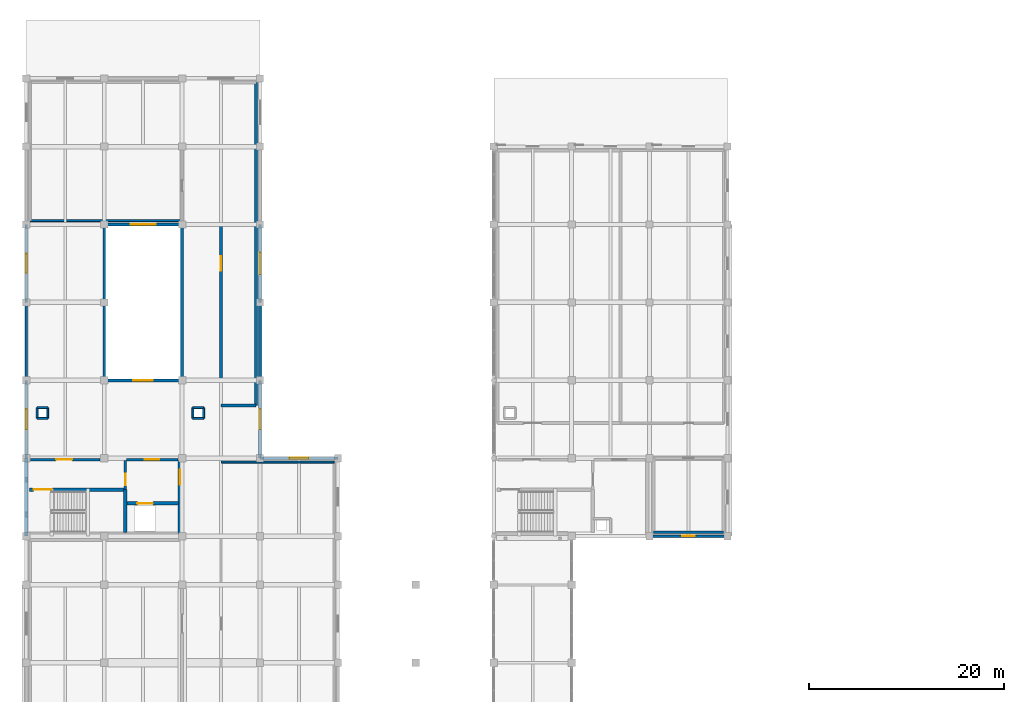
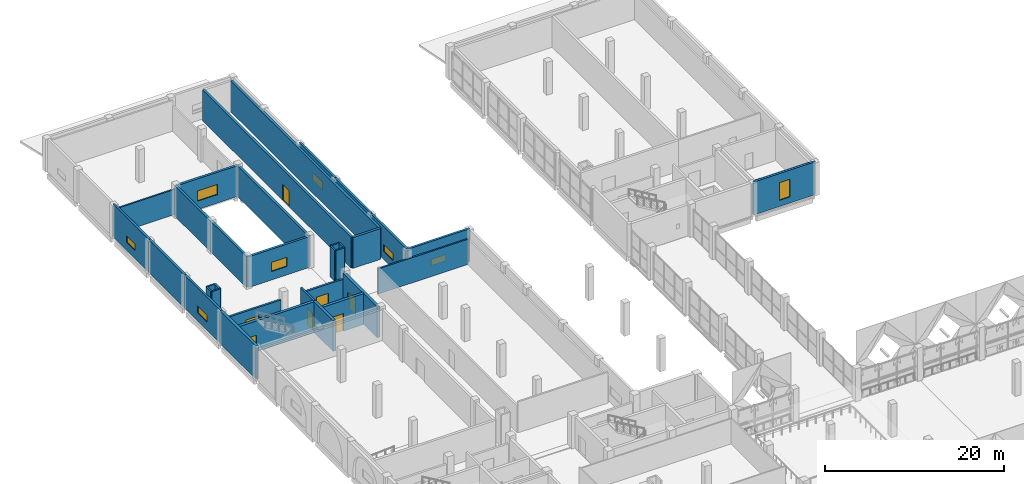
# One storey, part 32 of 53: 34 walls, 8 windows, 7 doors, 15 openings.
"""IFC4 building model written with IfcOpenShell, lengths in metres."""

from ifc_helpers import new_model, si_unit, direction, frame, frame_2d, origin, place, context, subcontext, project, spatial, rectangle, extrude, material, layer, layer_set, type_object, element, fill, save


model = new_model("IFC4")

# Units and contexts
model_context = context("Model", 3, precision=1e-05, world=origin(), true_north=direction((0.0, 1.0)))
body_context = subcontext(model_context, "Body", "Model", "MODEL_VIEW")
ifc_project = project(units=[si_unit("LENGTHUNIT", "METRE"), si_unit("AREAUNIT", "SQUARE_METRE"), si_unit("VOLUMEUNIT", "CUBIC_METRE"), si_unit("PLANEANGLEUNIT", "RADIAN"), si_unit("MASSUNIT", "GRAM", prefix="KILO")], contexts=[model_context])

# Site, building, storey
site_placement = place(None, origin())
site = spatial("IfcSite", under=ifc_project, at=site_placement, CompositionType="ELEMENT")
building_placement = place(site_placement, origin())
building = spatial("IfcBuilding", under=site, at=building_placement, Name="Qorikala Patio Media Centre", CompositionType="ELEMENT")
storey_placement = place(building_placement, frame((0.0, 0.0, 5.39990234375)))
storey = spatial("IfcBuildingStorey", under=building, at=storey_placement, Name="L01", CompositionType="ELEMENT", Elevation=5.39990234375)

# Wall, opening, window
ifc_material_1 = material(Name="Concrete C35/45", Category="concrete")
ifc_layer_1 = layer(ifc_material_1, 0.300048828125)
ifc_layer_set_1 = layer_set([ifc_layer_1], Name="Concrete C35/45")
wall_type_1 = type_object("IfcWallType", Name="WL-AC-300", PredefinedType="SHEAR", material=ifc_layer_set_1)
wall_1_placement = place(storey_placement, frame((11.0, 80.0, 0.0), z_axis=(0.0, 0.0, 1.0), x_axis=(1.0, 0.0, 0.0)))
wall_1 = element("IfcWall", 1, at=wall_1_placement, inside=storey, type_object=wall_type_1, Name="L01 Interior Wall VW-L01-STUDIO1_VOID-1", PredefinedType="SHEAR", context=body_context, shape_type="SweptSolid", body=[
    extrude(rectangle(XDim=8.0, YDim=0.300048828125, at=frame_2d((4.0, 0.0))), origin(), (0.0, 0.0, 1.0), 4.2001953125),
])
opening_1_placement = place(wall_1_placement, frame((3.0, 0.0, 1.14990234375)))
opening_1 = element("IfcOpeningElement", 2, at=opening_1_placement, cuts=wall_1, Name="Opening WO-200", PredefinedType="OPENING", context=body_context, shape_type="SweptSolid", body=[
    extrude(rectangle(XDim=2.0, YDim=1.25, at=frame_2d((1.0, 0.625))), frame((0.0, 0.159912109375, 0.0), z_axis=(0.0, -1.0, 0.0), x_axis=(1.0, 0.0, 0.0)), (0.0, 0.0, 1.0), 0.320068359375),
])
ifc_material_2 = material(Name="Triple Acoustic Studio Glass", Category="glass")
window_type_1 = type_object("IfcWindowType", Name="WN-OBS-200X125", PartitioningType="SINGLE_PANEL", PredefinedType="WINDOW", material=ifc_material_2)
window_1_placement = place(opening_1_placement, origin())
window_1 = element("IfcWindow", 3, at=window_1_placement, inside=storey, type_object=window_type_1, Name="L01 STUDIO1_VOID Acoustic Observation Window 1", OverallHeight=1.25, OverallWidth=2.0, PartitioningType="SINGLE_PANEL", PredefinedType="WINDOW", context=body_context, shape_type="SweptSolid", body=[
    extrude(rectangle(XDim=2.0, YDim=1.25, at=frame_2d((1.0, 0.625))), frame((0.0, 0.030029296875, 0.0), z_axis=(0.0, -1.0, 0.0), x_axis=(1.0, 0.0, 0.0)), (0.0, 0.0, 1.0), 0.06005859375),
])
fill(opening_1, window_1)

# Wall
wall_2_placement = place(storey_placement, frame((19.0, 80.0, 0.0), z_axis=(0.0, 0.0, 1.0), x_axis=(0.0, 1.0, 0.0)))
element("IfcWall", 4, at=wall_2_placement, inside=storey, type_object=wall_type_1, Name="L01 Interior Wall VW-L01-STUDIO1_VOID-2", PredefinedType="SHEAR", context=body_context, shape_type="SweptSolid", body=[
    extrude(rectangle(XDim=16.0, YDim=0.300048828125, at=frame_2d((8.0, 0.0))), origin(), (0.0, 0.0, 1.0), 4.2001953125),
])

# Wall, opening, window
wall_3_placement = place(storey_placement, frame((19.0, 96.0, 0.0), z_axis=(0.0, 0.0, 1.0), x_axis=(-1.0, 0.0, 0.0)))
wall_3 = element("IfcWall", 5, at=wall_3_placement, inside=storey, type_object=wall_type_1, Name="L01 Interior Wall VW-L01-STUDIO1_VOID-3", PredefinedType="SHEAR", context=body_context, shape_type="SweptSolid", body=[
    extrude(rectangle(XDim=8.0, YDim=0.300048828125, at=frame_2d((4.0, 0.0))), origin(), (0.0, 0.0, 1.0), 4.2001953125),
])
opening_2_placement = place(wall_3_placement, frame((2.699951171875, 0.0, 1.14990234375)))
opening_2 = element("IfcOpeningElement", 6, at=opening_2_placement, cuts=wall_3, Name="Opening WO-260", PredefinedType="OPENING", context=body_context, shape_type="SweptSolid", body=[
    extrude(rectangle(XDim=2.60009765625, YDim=1.39990234375, at=frame_2d((1.300048828125, 0.699951171875))), frame((0.0, 0.159912109375, 0.0), z_axis=(0.0, -1.0, 0.0), x_axis=(1.0, 0.0, 0.0)), (0.0, 0.0, 1.0), 0.320068359375),
])
window_type_2 = type_object("IfcWindowType", Name="WN-OBS-260X140", PartitioningType="SINGLE_PANEL", PredefinedType="WINDOW", material=ifc_material_2)
window_2_placement = place(opening_2_placement, origin())
window_2 = element("IfcWindow", 7, at=window_2_placement, inside=storey, type_object=window_type_2, Name="L01 STUDIO1_VOID Acoustic Observation Window 3", OverallHeight=1.39990234375, OverallWidth=2.60009765625, PartitioningType="SINGLE_PANEL", PredefinedType="WINDOW", context=body_context, shape_type="SweptSolid", body=[
    extrude(rectangle(XDim=2.60009765625, YDim=1.39990234375, at=frame_2d((1.300048828125, 0.699951171875))), frame((0.0, 0.030029296875, 0.0), z_axis=(0.0, -1.0, 0.0), x_axis=(1.0, 0.0, 0.0)), (0.0, 0.0, 1.0), 0.06005859375),
])
fill(opening_2, window_2)

# Walls
wall_4_placement = place(storey_placement, frame((11.0, 96.0, 0.0), z_axis=(0.0, 0.0, 1.0), x_axis=(0.0, -1.0, 0.0)))
element("IfcWall", 8, at=wall_4_placement, inside=storey, type_object=wall_type_1, Name="L01 Interior Wall VW-L01-STUDIO1_VOID-4", PredefinedType="SHEAR", context=body_context, shape_type="SweptSolid", body=[
    extrude(rectangle(XDim=16.0, YDim=0.300048828125, at=frame_2d((8.0, 0.0))), origin(), (0.0, 0.0, 1.0), 4.2001953125),
])
wall_5_placement = place(storey_placement, frame((23.0, 77.39990234375, 0.0), z_axis=(0.0, 0.0, 1.0), x_axis=(1.0, 0.0, 0.0)))
element("IfcWall", 9, at=wall_5_placement, inside=storey, type_object=wall_type_1, Name="L01 Interior Wall WINT-L01-APP1-S", PredefinedType="SHEAR", context=body_context, shape_type="SweptSolid", body=[
    extrude(rectangle(XDim=3.60009765625, YDim=0.300048828125, at=frame_2d((1.800048828125, 0.0))), origin(), (0.0, 0.0, 1.0), 4.2001953125),
])
wall_6_placement = place(storey_placement, frame((26.60009765625, 77.39990234375, 0.0), z_axis=(0.0, 0.0, 1.0), x_axis=(0.0, 1.0, 0.0)))
element("IfcWall", 10, at=wall_6_placement, inside=storey, type_object=wall_type_1, Name="L01 Interior Wall WINT-L01-APP1-E", PredefinedType="SHEAR", context=body_context, shape_type="SweptSolid", body=[
    extrude(rectangle(XDim=33.2001953125, YDim=0.300048828125, at=frame_2d((16.60009765625, 0.0))), origin(), (0.0, 0.0, 1.0), 4.2001953125),
])

# Wall, opening, door
wall_7_placement = place(storey_placement, frame((23.0, 77.39990234375, 0.0), z_axis=(0.0, 0.0, 1.0), x_axis=(0.0, 1.0, 0.0)))
wall_7 = element("IfcWall", 11, at=wall_7_placement, inside=storey, type_object=wall_type_1, Name="L01 Interior Wall WINT-L01-APP1-W", PredefinedType="SHEAR", context=body_context, shape_type="SweptSolid", body=[
    extrude(rectangle(XDim=33.2001953125, YDim=0.300048828125, at=frame_2d((16.60009765625, 0.0))), origin(), (0.0, 0.0, 1.0), 4.2001953125),
])
opening_3_placement = place(wall_7_placement, frame((13.840087890625, 0.0, 0.0)))
opening_3 = element("IfcOpeningElement", 12, at=opening_3_placement, cuts=wall_7, Name="Opening D264", PredefinedType="OPENING", context=body_context, shape_type="SweptSolid", body=[
    extrude(rectangle(XDim=1.5, YDim=2.199951171875, at=frame_2d((0.75, 1.10009765625))), frame((0.0, 0.159912109375, 0.0), z_axis=(0.0, -1.0, 0.0), x_axis=(1.0, 0.0, 0.0)), (0.0, 0.0, 1.0), 0.320068359375),
])
ifc_material_3 = material(Name="Powder-Coated Acoustic Fire Steel", Category="steel")
door_type_1 = type_object("IfcDoorType", Name="DR-FD60-150X220", OperationType="DOUBLE_DOOR_SINGLE_SWING", PredefinedType="DOOR", material=ifc_material_3)
door_1_placement = place(opening_3_placement, origin())
door_1 = element("IfcDoor", 13, at=door_1_placement, inside=storey, type_object=door_type_1, Name="Central Broadcast Apparatus Room Door 053", OperationType="DOUBLE_DOOR_SINGLE_SWING", OverallHeight=2.199951171875, OverallWidth=1.5, PredefinedType="DOOR", context=body_context, shape_type="SweptSolid", body=[
    extrude(rectangle(XDim=1.5, YDim=2.199951171875, at=frame_2d((0.75, 1.10009765625))), frame((0.0, 0.02490234375, 0.0), z_axis=(0.0, -1.0, 0.0), x_axis=(1.0, 0.0, 0.0)), (0.0, 0.0, 1.0), 0.050048828125),
])
fill(opening_3, door_1)

# Walls
wall_8_placement = place(storey_placement, frame((67.39990234375, 64.39990234375, 0.0), z_axis=(0.0, 0.0, 1.0), x_axis=(1.0, 0.0, 0.0)))
element("IfcWall", 14, at=wall_8_placement, inside=storey, type_object=wall_type_1, Name="L01 Interior Wall WINT-L01-ADR1-S", PredefinedType="SHEAR", context=body_context, shape_type="SweptSolid", body=[
    extrude(rectangle(XDim=7.2001953125, YDim=0.300048828125, at=frame_2d((3.60009765625, 0.0))), origin(), (0.0, 0.0, 1.0), 4.2001953125),
])
ifc_layer_2 = layer(ifc_material_1, 0.35009765625)
ifc_layer_set_2 = layer_set([ifc_layer_2], Name="Concrete C35/45")
wall_type_2 = type_object("IfcWallType", Name="WL-CORE-350", PredefinedType="SHEAR", material=ifc_layer_set_2)
wall_9_placement = place(storey_placement, frame((3.0, 64.0, 0.0), z_axis=(0.0, 0.0, 1.0), x_axis=(0.0, 1.0, 0.0)))
element("IfcWall", 15, at=wall_9_placement, inside=storey, type_object=wall_type_2, Name="L01 Core C3 Exterior Shear Wall", PredefinedType="SHEAR", context=body_context, shape_type="SweptSolid", body=[
    extrude(rectangle(XDim=8.0, YDim=0.35009765625, at=frame_2d((4.0, 0.0))), origin(), (0.0, 0.0, 1.0), 4.5),
])
wall_10_placement = place(storey_placement, frame((13.175048828125, 64.35009765625, 0.0), z_axis=(0.0, 0.0, 1.0), x_axis=(0.0, 1.0, 0.0)))
element("IfcWall", 16, at=wall_10_placement, inside=storey, type_object=wall_type_2, Name="L01 Interior Wall CW-L01-C3-SE", PredefinedType="SHEAR", context=body_context, shape_type="SweptSolid", body=[
    extrude(rectangle(XDim=4.4248046875, YDim=0.35009765625, at=frame_2d((2.21240234375, 0.0))), origin(), (0.0, 0.0, 1.0), 4.2001953125),
])

# Wall, opening, door
wall_11_placement = place(storey_placement, frame((18.77490234375, 64.199951171875, 0.0), z_axis=(0.0, 0.0, 1.0), x_axis=(0.0, 1.0, 0.0)))
wall_11 = element("IfcWall", 17, at=wall_11_placement, inside=storey, type_object=wall_type_2, Name="L01 Interior Wall CW-L01-C3-EE", PredefinedType="SHEAR", context=body_context, shape_type="SweptSolid", body=[
    extrude(rectangle(XDim=7.60009765625, YDim=0.35009765625, at=frame_2d((3.800048828125, 0.0))), origin(), (0.0, 0.0, 1.0), 4.2001953125),
])
opening_4_placement = place(wall_11_placement, frame((5.10009765625, 0.0, 0.0)))
opening_4 = element("IfcOpeningElement", 18, at=opening_4_placement, cuts=wall_11, Name="Opening D105", PredefinedType="OPENING", context=body_context, shape_type="SweptSolid", body=[
    extrude(rectangle(XDim=1.5, YDim=2.199951171875, at=frame_2d((0.75, 1.10009765625))), frame((0.0, 0.18505859375, 0.0), z_axis=(0.0, -1.0, 0.0), x_axis=(1.0, 0.0, 0.0)), (0.0, 0.0, 1.0), 0.3701171875),
])
door_2_placement = place(opening_4_placement, origin())
door_2 = element("IfcDoor", 19, at=door_2_placement, inside=storey, type_object=door_type_1, Name="L01 Core C3 East Corridor Fire Door", OperationType="DOUBLE_DOOR_SINGLE_SWING", OverallHeight=2.199951171875, OverallWidth=1.5, PredefinedType="DOOR", context=body_context, shape_type="SweptSolid", body=[
    extrude(rectangle(XDim=1.5, YDim=2.199951171875, at=frame_2d((0.75, 1.10009765625))), frame((0.0, 0.02490234375, 0.0), z_axis=(0.0, -1.0, 0.0), x_axis=(1.0, 0.0, 0.0)), (0.0, 0.0, 1.0), 0.050048828125),
])
fill(opening_4, door_2)

wall_12_placement = place(storey_placement, frame((3.35009765625, 68.77490234375, 0.0), z_axis=(0.0, 0.0, 1.0), x_axis=(1.0, 0.0, 0.0)))
wall_12 = element("IfcWall", 20, at=wall_12_placement, inside=storey, type_object=wall_type_2, Name="L01 Interior Wall CW-L01-C3-SN", PredefinedType="SHEAR", context=body_context, shape_type="SweptSolid", body=[
    extrude(rectangle(XDim=9.824951171875, YDim=0.35009765625, at=frame_2d((4.91259765625, 0.0))), origin(), (0.0, 0.0, 1.0), 4.2001953125),
])
opening_5_placement = place(wall_12_placement, frame((0.39990234375, 0.0, 0.0)))
opening_5 = element("IfcOpeningElement", 21, at=opening_5_placement, cuts=wall_12, Name="Opening D101", PredefinedType="OPENING", context=body_context, shape_type="SweptSolid", body=[
    extrude(rectangle(XDim=1.85009765625, YDim=2.25, at=frame_2d((0.925048828125, 1.125))), frame((0.0, 0.18505859375, 0.0), z_axis=(0.0, -1.0, 0.0), x_axis=(1.0, 0.0, 0.0)), (0.0, 0.0, 1.0), 0.3701171875),
])
door_type_2 = type_object("IfcDoorType", Name="DR-FD60-185X225", OperationType="DOUBLE_DOOR_SINGLE_SWING", PredefinedType="DOOR", material=ifc_material_3)
door_3_placement = place(opening_5_placement, origin())
door_3 = element("IfcDoor", 22, at=door_3_placement, inside=storey, type_object=door_type_2, Name="L01 Stair ST-3 Fire Door", OperationType="DOUBLE_DOOR_SINGLE_SWING", OverallHeight=2.25, OverallWidth=1.85009765625, PredefinedType="DOOR", context=body_context, shape_type="SweptSolid", body=[
    extrude(rectangle(XDim=1.85009765625, YDim=2.25, at=frame_2d((0.925048828125, 1.125))), frame((0.0, 0.02490234375, 0.0), z_axis=(0.0, -1.0, 0.0), x_axis=(1.0, 0.0, 0.0)), (0.0, 0.0, 1.0), 0.050048828125),
])
fill(opening_5, door_3)

wall_13_placement = place(storey_placement, frame((13.175048828125, 67.375, 0.0), z_axis=(0.0, 0.0, 1.0), x_axis=(1.0, 0.0, 0.0)))
wall_13 = element("IfcWall", 23, at=wall_13_placement, inside=storey, type_object=wall_type_2, Name="L01 Interior Wall CW-L01-C3-LFN", PredefinedType="SHEAR", context=body_context, shape_type="SweptSolid", body=[
    extrude(rectangle(XDim=5.474853515625, YDim=0.35009765625, at=frame_2d((2.7373046875, 0.0))), origin(), (0.0, 0.0, 1.0), 4.2001953125),
])
opening_6_placement = place(wall_13_placement, frame((1.22509765625, 0.0, 0.0)))
opening_6 = element("IfcOpeningElement", 24, at=opening_6_placement, cuts=wall_13, Name="Opening LD26", PredefinedType="OPENING", context=body_context, shape_type="SweptSolid", body=[
    extrude(rectangle(XDim=1.60009765625, YDim=2.39990234375, at=frame_2d((0.800048828125, 1.199951171875))), frame((0.0, 0.18505859375, 0.0), z_axis=(0.0, -1.0, 0.0), x_axis=(1.0, 0.0, 0.0)), (0.0, 0.0, 1.0), 0.3701171875),
])
ifc_material_4 = material(Name="Heavy Stainless Steel Freight", Category="steel")
door_type_3 = type_object("IfcDoorType", Name="DR-LD-160X240", OperationType="DOUBLE_DOOR_SLIDING", PredefinedType="DOOR", material=ifc_material_4)
door_4_placement = place(opening_6_placement, origin())
door_4 = element("IfcDoor", 25, at=door_4_placement, inside=storey, type_object=door_type_3, Name="L01 Lift LS-01 Sliding Landing Door", OperationType="DOUBLE_DOOR_SLIDING", OverallHeight=2.39990234375, OverallWidth=1.60009765625, PredefinedType="DOOR", context=body_context, shape_type="SweptSolid", body=[
    extrude(rectangle(XDim=1.60009765625, YDim=2.39990234375, at=frame_2d((0.800048828125, 1.199951171875))), frame((0.0, 0.02490234375, 0.0), z_axis=(0.0, -1.0, 0.0), x_axis=(1.0, 0.0, 0.0)), (0.0, 0.0, 1.0), 0.050048828125),
])
fill(opening_6, door_4)

ifc_layer_3 = layer(ifc_material_1, 0.25)
ifc_layer_set_3 = layer_set([ifc_layer_3], Name="Concrete C35/45")
wall_type_3 = type_object("IfcWallType", Name="WL-FFL-250", PredefinedType="PARTITIONING", material=ifc_layer_set_3)
wall_14_placement = place(storey_placement, frame((13.175048828125, 68.77490234375, 0.0), z_axis=(0.0, 0.0, 1.0), x_axis=(0.0, 1.0, 0.0)))
wall_14 = element("IfcWall", 26, at=wall_14_placement, inside=storey, type_object=wall_type_3, Name="L01 Interior Wall CW-L01-C3-LBD", PredefinedType="PARTITIONING", context=body_context, shape_type="SweptSolid", body=[
    extrude(rectangle(XDim=2.97509765625, YDim=0.25, at=frame_2d((1.487548828125, 0.0))), origin(), (0.0, 0.0, 1.0), 4.2001953125),
])
opening_7_placement = place(wall_14_placement, frame((0.449951171875, 0.0, 0.0)))
opening_7 = element("IfcOpeningElement", 27, at=opening_7_placement, cuts=wall_14, Name="Opening D102", PredefinedType="OPENING", context=body_context, shape_type="SweptSolid", body=[
    extrude(rectangle(XDim=1.199951171875, YDim=2.199951171875, at=frame_2d((0.60009765625, 1.10009765625))), frame((0.0, 0.135009765625, 0.0), z_axis=(0.0, -1.0, 0.0), x_axis=(1.0, 0.0, 0.0)), (0.0, 0.0, 1.0), 0.27001953125),
])
ifc_material_5 = material(Name="Acoustic Fire Timber and Steel", Category="steel")
door_type_4 = type_object("IfcDoorType", Name="DR-FD60-120X220", OperationType="NOTDEFINED", PredefinedType="DOOR", material=ifc_material_5)
door_5_placement = place(opening_7_placement, origin())
door_5 = element("IfcDoor", 28, at=door_5_placement, inside=storey, type_object=door_type_4, Name="L01 Core C3 Firefighting Lobby Cross Door", OperationType="SINGLE_SWING_LEFT", OverallHeight=2.199951171875, OverallWidth=1.199951171875, PredefinedType="DOOR", context=body_context, shape_type="SweptSolid", body=[
    extrude(rectangle(XDim=1.199951171875, YDim=2.199951171875, at=frame_2d((0.60009765625, 1.10009765625))), frame((0.0, 0.02490234375, 0.0), z_axis=(0.0, -1.0, 0.0), x_axis=(1.0, 0.0, 0.0)), (0.0, 0.0, 1.0), 0.050048828125),
])
fill(opening_7, door_5)

wall_15_placement = place(storey_placement, frame((3.449951171875, 71.85009765625, 0.0), z_axis=(0.0, 0.0, 1.0), x_axis=(1.0, 0.0, 0.0)))
wall_15 = element("IfcWall", 29, at=wall_15_placement, inside=storey, type_object=wall_type_3, Name="L01 Interior Wall CW-L01-C3-CN1", PredefinedType="PARTITIONING", context=body_context, shape_type="SweptSolid", body=[
    extrude(rectangle(XDim=7.10009765625, YDim=0.25, at=frame_2d((3.550048828125, 0.0))), origin(), (0.0, 0.0, 1.0), 3.43505859375),
])
opening_8_placement = place(wall_15_placement, frame((2.60009765625, 0.0, 0.0)))
opening_8 = element("IfcOpeningElement", 30, at=opening_8_placement, cuts=wall_15, Name="Opening D103", PredefinedType="OPENING", context=body_context, shape_type="SweptSolid", body=[
    extrude(rectangle(XDim=1.64990234375, YDim=2.25, at=frame_2d((0.824951171875, 1.125))), frame((0.0, 0.135009765625, 0.0), z_axis=(0.0, -1.0, 0.0), x_axis=(1.0, 0.0, 0.0)), (0.0, 0.0, 1.0), 0.27001953125),
])
door_type_5 = type_object("IfcDoorType", Name="DR-FD60-165X225", OperationType="DOUBLE_DOOR_SINGLE_SWING", PredefinedType="DOOR", material=ifc_material_3)
door_6_placement = place(opening_8_placement, frame((1.64990234375, 0.0, 0.0), z_axis=(0.0, 0.0, 1.0), x_axis=(-1.0, 0.0, 0.0)))
door_6 = element("IfcDoor", 31, at=door_6_placement, inside=storey, type_object=door_type_5, Name="L01 Core C3 Vestibule Door", OperationType="DOUBLE_DOOR_SINGLE_SWING", OverallHeight=2.25, OverallWidth=1.64990234375, PredefinedType="DOOR", context=body_context, shape_type="SweptSolid", body=[
    extrude(rectangle(XDim=1.64990234375, YDim=2.25, at=frame_2d((0.824951171875, 1.125))), frame((0.0, 0.02490234375, 0.0), z_axis=(0.0, -1.0, 0.0), x_axis=(1.0, 0.0, 0.0)), (0.0, 0.0, 1.0), 0.050048828125),
])
fill(opening_8, door_6)

wall_16_placement = place(storey_placement, frame((13.300048828125, 71.85009765625, 0.0), z_axis=(0.0, 0.0, 1.0), x_axis=(1.0, 0.0, 0.0)))
wall_16 = element("IfcWall", 32, at=wall_16_placement, inside=storey, type_object=wall_type_3, Name="L01 Interior Wall CW-L01-C3-CN2", PredefinedType="PARTITIONING", context=body_context, shape_type="SweptSolid", body=[
    extrude(rectangle(XDim=5.25, YDim=0.25, at=frame_2d((2.625, 0.0))), origin(), (0.0, 0.0, 1.0), 3.43505859375),
])
opening_9_placement = place(wall_16_placement, frame((1.85009765625, 0.0, 0.0)))
opening_9 = element("IfcOpeningElement", 33, at=opening_9_placement, cuts=wall_16, Name="Opening D104", PredefinedType="OPENING", context=body_context, shape_type="SweptSolid", body=[
    extrude(rectangle(XDim=1.5, YDim=2.199951171875, at=frame_2d((0.75, 1.10009765625))), frame((0.0, 0.135009765625, 0.0), z_axis=(0.0, -1.0, 0.0), x_axis=(1.0, 0.0, 0.0)), (0.0, 0.0, 1.0), 0.27001953125),
])
door_7_placement = place(opening_9_placement, origin())
door_7 = element("IfcDoor", 34, at=door_7_placement, inside=storey, type_object=door_type_1, Name="L01 Core C3 Firefighting Lobby Door", OperationType="DOUBLE_DOOR_SINGLE_SWING", OverallHeight=2.199951171875, OverallWidth=1.5, PredefinedType="DOOR", context=body_context, shape_type="SweptSolid", body=[
    extrude(rectangle(XDim=1.5, YDim=2.199951171875, at=frame_2d((0.75, 1.10009765625))), frame((0.0, 0.02490234375, 0.0), z_axis=(0.0, -1.0, 0.0), x_axis=(1.0, 0.0, 0.0)), (0.0, 0.0, 1.0), 0.050048828125),
])
fill(opening_9, door_7)

# Wall, opening, window
ifc_material_6 = material(Name="Warm Ochre Lime Stucco and Concrete C35/45", Category="concrete")
ifc_layer_4 = layer(ifc_material_6, 0.280029296875)
ifc_layer_set_4 = layer_set([ifc_layer_4], Name="Warm Ochre Lime Stucco and Concrete C35/45")
wall_type_4 = type_object("IfcWallType", Name="WL-OCHRE-280", PredefinedType="SOLIDWALL", material=ifc_layer_set_4)
wall_17_placement = place(storey_placement, frame((3.0, 72.0, 0.0), z_axis=(0.0, 0.0, 1.0), x_axis=(0.0, 1.0, 0.0)))
wall_17 = element("IfcWall", 35, at=wall_17_placement, inside=storey, type_object=wall_type_4, Name="L01 Exterior Wall WL-L01-EXT-0015", PredefinedType="SOLIDWALL", context=body_context, shape_type="SweptSolid", body=[
    extrude(rectangle(XDim=8.0, YDim=0.280029296875, at=frame_2d((4.0, 0.0))), origin(), (0.0, 0.0, 1.0), 4.5),
])
opening_10_placement = place(wall_17_placement, frame((2.949951171875, 0.0, 1.10009765625)))
opening_10 = element("IfcOpeningElement", 36, at=opening_10_placement, cuts=wall_17, Name="Opening WL-210", PredefinedType="OPENING", context=body_context, shape_type="SweptSolid", body=[
    extrude(rectangle(XDim=2.10009765625, YDim=0.949951171875, at=frame_2d((1.050048828125, 0.47509765625))), frame((0.0, 0.14990234375, 0.0), z_axis=(0.0, -1.0, 0.0), x_axis=(1.0, 0.0, 0.0)), (0.0, 0.0, 1.0), 0.300048828125),
])
ifc_material_7 = material(Name="Acoustic Laminated Low-E Glass", Category="glass")
window_type_3 = type_object("IfcWindowType", Name="WN-CL-210X095", PartitioningType="SINGLE_PANEL", PredefinedType="WINDOW", material=ifc_material_7)
window_3_placement = place(opening_10_placement, origin())
window_3 = element("IfcWindow", 37, at=window_3_placement, inside=storey, type_object=window_type_3, Name="L01 High Acoustic Clerestory Window 0074", OverallHeight=0.949951171875, OverallWidth=2.10009765625, PartitioningType="SINGLE_PANEL", PredefinedType="WINDOW", context=body_context, shape_type="SweptSolid", body=[
    extrude(rectangle(XDim=2.10009765625, YDim=0.949951171875, at=frame_2d((1.050048828125, 0.47509765625))), frame((0.0, 0.030029296875, 0.0), z_axis=(0.0, -1.0, 0.0), x_axis=(1.0, 0.0, 0.0)), (0.0, 0.0, 1.0), 0.06005859375),
])
fill(opening_10, window_3)

# Wall
wall_18_placement = place(storey_placement, frame((3.0, 80.0, 0.0), z_axis=(0.0, 0.0, 1.0), x_axis=(0.0, 1.0, 0.0)))
element("IfcWall", 38, at=wall_18_placement, inside=storey, type_object=wall_type_4, Name="L01 Exterior Wall WL-L01-EXT-0016", PredefinedType="SOLIDWALL", context=body_context, shape_type="SweptSolid", body=[
    extrude(rectangle(XDim=8.0, YDim=0.280029296875, at=frame_2d((4.0, 0.0))), origin(), (0.0, 0.0, 1.0), 4.5),
])

# Wall, opening, window
wall_19_placement = place(storey_placement, frame((3.0, 88.0, 0.0), z_axis=(0.0, 0.0, 1.0), x_axis=(0.0, 1.0, 0.0)))
wall_19 = element("IfcWall", 39, at=wall_19_placement, inside=storey, type_object=wall_type_4, Name="L01 Exterior Wall WL-L01-EXT-0017", PredefinedType="SOLIDWALL", context=body_context, shape_type="SweptSolid", body=[
    extrude(rectangle(XDim=8.0, YDim=0.280029296875, at=frame_2d((4.0, 0.0))), origin(), (0.0, 0.0, 1.0), 4.5),
])
opening_11_placement = place(wall_19_placement, frame((3.02490234375, 0.0, 1.10009765625)))
opening_11 = element("IfcOpeningElement", 40, at=opening_11_placement, cuts=wall_19, Name="Opening WL-195", PredefinedType="OPENING", context=body_context, shape_type="SweptSolid", body=[
    extrude(rectangle(XDim=1.949951171875, YDim=0.89990234375, at=frame_2d((0.97509765625, 0.449951171875))), frame((0.0, 0.14990234375, 0.0), z_axis=(0.0, -1.0, 0.0), x_axis=(1.0, 0.0, 0.0)), (0.0, 0.0, 1.0), 0.300048828125),
])
window_type_4 = type_object("IfcWindowType", Name="WN-CL-195X090", PartitioningType="SINGLE_PANEL", PredefinedType="WINDOW", material=ifc_material_7)
window_4_placement = place(opening_11_placement, origin())
window_4 = element("IfcWindow", 41, at=window_4_placement, inside=storey, type_object=window_type_4, Name="L01 High Acoustic Clerestory Window 0075", OverallHeight=0.89990234375, OverallWidth=1.949951171875, PartitioningType="SINGLE_PANEL", PredefinedType="WINDOW", context=body_context, shape_type="SweptSolid", body=[
    extrude(rectangle(XDim=1.949951171875, YDim=0.89990234375, at=frame_2d((0.97509765625, 0.449951171875))), frame((0.0, 0.030029296875, 0.0), z_axis=(0.0, -1.0, 0.0), x_axis=(1.0, 0.0, 0.0)), (0.0, 0.0, 1.0), 0.06005859375),
])
fill(opening_11, window_4)

wall_20_placement = place(storey_placement, frame((27.0, 96.0, 0.0), z_axis=(0.0, 0.0, 1.0), x_axis=(0.0, -1.0, 0.0)))
wall_20 = element("IfcWall", 42, at=wall_20_placement, inside=storey, type_object=wall_type_4, Name="L01 Exterior Wall WL-L01-EXT-0025", PredefinedType="SOLIDWALL", context=body_context, shape_type="SweptSolid", body=[
    extrude(rectangle(XDim=8.0, YDim=0.280029296875, at=frame_2d((4.0, 0.0))), origin(), (0.0, 0.0, 1.0), 4.5),
])
opening_12_placement = place(wall_20_placement, frame((2.875, 0.0, 1.10009765625)))
opening_12 = element("IfcOpeningElement", 43, at=opening_12_placement, cuts=wall_20, Name="Opening WL-225", PredefinedType="OPENING", context=body_context, shape_type="SweptSolid", body=[
    extrude(rectangle(XDim=2.25, YDim=1.02001953125, at=frame_2d((1.125, 0.510009765625))), frame((0.0, 0.14990234375, 0.0), z_axis=(0.0, -1.0, 0.0), x_axis=(1.0, 0.0, 0.0)), (0.0, 0.0, 1.0), 0.300048828125),
])
window_type_5 = type_object("IfcWindowType", Name="WN-CL-225X102", PartitioningType="SINGLE_PANEL", PredefinedType="WINDOW", material=ifc_material_7)
window_5_placement = place(opening_12_placement, origin())
window_5 = element("IfcWindow", 44, at=window_5_placement, inside=storey, type_object=window_type_5, Name="L01 High Acoustic Clerestory Window 0080", OverallHeight=1.02001953125, OverallWidth=2.25, PartitioningType="SINGLE_PANEL", PredefinedType="WINDOW", context=body_context, shape_type="SweptSolid", body=[
    extrude(rectangle(XDim=2.25, YDim=1.02001953125, at=frame_2d((1.125, 0.510009765625))), frame((0.0, 0.030029296875, 0.0), z_axis=(0.0, -1.0, 0.0), x_axis=(1.0, 0.0, 0.0)), (0.0, 0.0, 1.0), 0.06005859375),
])
fill(opening_12, window_5)

# Wall
wall_21_placement = place(storey_placement, frame((27.0, 88.0, 0.0), z_axis=(0.0, 0.0, 1.0), x_axis=(0.0, -1.0, 0.0)))
element("IfcWall", 45, at=wall_21_placement, inside=storey, type_object=wall_type_4, Name="L01 Exterior Wall WL-L01-EXT-0026", PredefinedType="SOLIDWALL", context=body_context, shape_type="SweptSolid", body=[
    extrude(rectangle(XDim=8.0, YDim=0.280029296875, at=frame_2d((4.0, 0.0))), origin(), (0.0, 0.0, 1.0), 4.5),
])

# Wall, opening, window
wall_22_placement = place(storey_placement, frame((27.0, 80.0, 0.0), z_axis=(0.0, 0.0, 1.0), x_axis=(0.0, -1.0, 0.0)))
wall_22 = element("IfcWall", 46, at=wall_22_placement, inside=storey, type_object=wall_type_4, Name="L01 Exterior Wall WL-L01-EXT-0027", PredefinedType="SOLIDWALL", context=body_context, shape_type="SweptSolid", body=[
    extrude(rectangle(XDim=8.0, YDim=0.280029296875, at=frame_2d((4.0, 0.0))), origin(), (0.0, 0.0, 1.0), 4.5),
])
opening_13_placement = place(wall_22_placement, frame((2.949951171875, 0.0, 1.10009765625)))
opening_13 = element("IfcOpeningElement", 47, at=opening_13_placement, cuts=wall_22, Name="Opening WL-210", PredefinedType="OPENING", context=body_context, shape_type="SweptSolid", body=[
    extrude(rectangle(XDim=2.10009765625, YDim=0.949951171875, at=frame_2d((1.050048828125, 0.47509765625))), frame((0.0, 0.14990234375, 0.0), z_axis=(0.0, -1.0, 0.0), x_axis=(1.0, 0.0, 0.0)), (0.0, 0.0, 1.0), 0.300048828125),
])
window_6_placement = place(opening_13_placement, origin())
window_6 = element("IfcWindow", 48, at=window_6_placement, inside=storey, type_object=window_type_3, Name="L01 High Acoustic Clerestory Window 0081", OverallHeight=0.949951171875, OverallWidth=2.10009765625, PartitioningType="SINGLE_PANEL", PredefinedType="WINDOW", context=body_context, shape_type="SweptSolid", body=[
    extrude(rectangle(XDim=2.10009765625, YDim=0.949951171875, at=frame_2d((1.050048828125, 0.47509765625))), frame((0.0, 0.030029296875, 0.0), z_axis=(0.0, -1.0, 0.0), x_axis=(1.0, 0.0, 0.0)), (0.0, 0.0, 1.0), 0.06005859375),
])
fill(opening_13, window_6)

wall_23_placement = place(storey_placement, frame((27.0, 72.0, 0.0), z_axis=(0.0, 0.0, 1.0), x_axis=(1.0, 0.0, 0.0)))
wall_23 = element("IfcWall", 49, at=wall_23_placement, inside=storey, type_object=wall_type_4, Name="L01 Exterior Wall WL-L01-EXT-0028", PredefinedType="SOLIDWALL", context=body_context, shape_type="SweptSolid", body=[
    extrude(rectangle(XDim=8.0, YDim=0.280029296875, at=frame_2d((4.0, 0.0))), origin(), (0.0, 0.0, 1.0), 4.5),
])
opening_14_placement = place(wall_23_placement, frame((3.02490234375, 0.0, 1.10009765625)))
opening_14 = element("IfcOpeningElement", 50, at=opening_14_placement, cuts=wall_23, Name="Opening WL-195", PredefinedType="OPENING", context=body_context, shape_type="SweptSolid", body=[
    extrude(rectangle(XDim=1.949951171875, YDim=0.89990234375, at=frame_2d((0.97509765625, 0.449951171875))), frame((0.0, 0.14990234375, 0.0), z_axis=(0.0, -1.0, 0.0), x_axis=(1.0, 0.0, 0.0)), (0.0, 0.0, 1.0), 0.300048828125),
])
window_7_placement = place(opening_14_placement, origin())
window_7 = element("IfcWindow", 51, at=window_7_placement, inside=storey, type_object=window_type_4, Name="L01 High Acoustic Clerestory Window 0082", OverallHeight=0.89990234375, OverallWidth=1.949951171875, PartitioningType="SINGLE_PANEL", PredefinedType="WINDOW", context=body_context, shape_type="SweptSolid", body=[
    extrude(rectangle(XDim=1.949951171875, YDim=0.89990234375, at=frame_2d((0.97509765625, 0.449951171875))), frame((0.0, 0.030029296875, 0.0), z_axis=(0.0, -1.0, 0.0), x_axis=(1.0, 0.0, 0.0)), (0.0, 0.0, 1.0), 0.06005859375),
])
fill(opening_14, window_7)

wall_24_placement = place(storey_placement, frame((75.0, 64.0, 0.0), z_axis=(0.0, 0.0, 1.0), x_axis=(-1.0, 0.0, 0.0)))
wall_24 = element("IfcWall", 52, at=wall_24_placement, inside=storey, type_object=wall_type_4, Name="L01 Exterior Wall WL-L01-EXT-0045", PredefinedType="SOLIDWALL", context=body_context, shape_type="SweptSolid", body=[
    extrude(rectangle(XDim=8.0, YDim=0.280029296875, at=frame_2d((4.0, 0.0))), origin(), (0.0, 0.0, 1.0), 4.5),
])
opening_15_placement = place(wall_24_placement, frame((3.35009765625, 0.0, 0.85009765625)))
opening_15 = element("IfcOpeningElement", 53, at=opening_15_placement, cuts=wall_24, Name="Opening WC-130", PredefinedType="OPENING", context=body_context, shape_type="SweptSolid", body=[
    extrude(rectangle(XDim=1.300048828125, YDim=2.39990234375, at=frame_2d((0.64990234375, 1.199951171875))), frame((0.0, 0.14990234375, 0.0), z_axis=(0.0, -1.0, 0.0), x_axis=(1.0, 0.0, 0.0)), (0.0, 0.0, 1.0), 0.300048828125),
])
ifc_material_8 = material(Name="Bronze Anodised Aluminium and Low-E Glass", Category="aluminium")
window_type_6 = type_object("IfcWindowType", Name="WN-COL-130X240", PartitioningType="SINGLE_PANEL", PredefinedType="WINDOW", material=ifc_material_8)
window_8_placement = place(opening_15_placement, origin())
window_8 = element("IfcWindow", 54, at=window_8_placement, inside=storey, type_object=window_type_6, Name="L01 Colonial Tall Window 0094", OverallHeight=2.39990234375, OverallWidth=1.300048828125, PartitioningType="SINGLE_PANEL", PredefinedType="WINDOW", context=body_context, shape_type="SweptSolid", body=[
    extrude(rectangle(XDim=1.300048828125, YDim=2.39990234375, at=frame_2d((0.64990234375, 1.199951171875))), frame((0.0, 0.030029296875, 0.0), z_axis=(0.0, -1.0, 0.0), x_axis=(1.0, 0.0, 0.0)), (0.0, 0.0, 1.0), 0.06005859375),
])
fill(opening_15, window_8)

# Walls
ifc_material_9 = material(Name="Acoustic Masonry and Plaster Concrete C30/37", Category="masonry")
ifc_layer_5 = layer(ifc_material_9, 0.199951171875)
ifc_layer_set_5 = layer_set([ifc_layer_5], Name="Acoustic Masonry and Plaster Concrete C30/37")
wall_type_5 = type_object("IfcWallType", Name="WL-ST-200", PredefinedType="PARTITIONING", material=ifc_layer_set_5)
wall_25_placement = place(storey_placement, frame((23.0, 71.60009765625, 0.0), z_axis=(0.0, 0.0, 1.0), x_axis=(1.0, 0.0, 0.0)))
element("IfcWall", 55, at=wall_25_placement, inside=storey, type_object=wall_type_5, Name="L01 Interior Wall WINT-L01-CTR2-N", PredefinedType="PARTITIONING", context=body_context, shape_type="SweptSolid", body=[
    extrude(rectangle(XDim=11.60009765625, YDim=0.199951171875, at=frame_2d((5.800048828125, 0.0))), origin(), (0.0, 0.0, 1.0), 3.43505859375),
])
wall_26_placement = place(storey_placement, frame((3.39990234375, 96.39990234375, 0.0), z_axis=(0.0, 0.0, 1.0), x_axis=(1.0, 0.0, 0.0)))
element("IfcWall", 56, at=wall_26_placement, inside=storey, type_object=wall_type_5, Name="L01 Interior Wall WINT-L01-BGL1-S", PredefinedType="PARTITIONING", context=body_context, shape_type="SweptSolid", body=[
    extrude(rectangle(XDim=15.60009765625, YDim=0.199951171875, at=frame_2d((7.800048828125, 0.0))), origin(), (0.0, 0.0, 1.0), 3.43505859375),
])
for number, where, z_axis, x_axis, name in (
    (57, (4.10009765625, 76.10009765625, 0.0), (0.0, 0.0, 1.0), (1.0, 0.0, 0.0), "L01 Interior Wall RSW-5-L01-S"),
    (58, (4.10009765625, 77.199951171875, 0.0), (0.0, 0.0, 1.0), (1.0, 0.0, 0.0), "L01 Interior Wall RSW-5-L01-N"),
    (59, (4.10009765625, 76.10009765625, 0.0), (0.0, 0.0, 1.0), (0.0, 1.0, 0.0), "L01 Interior Wall RSW-5-L01-W"),
    (60, (5.199951171875, 76.10009765625, 0.0), (0.0, 0.0, 1.0), (0.0, 1.0, 0.0), "L01 Interior Wall RSW-5-L01-E"),
    (61, (20.10009765625, 76.10009765625, 0.0), (0.0, 0.0, 1.0), (1.0, 0.0, 0.0), "L01 Interior Wall RSW-6-L01-S"),
    (62, (20.10009765625, 77.199951171875, 0.0), (0.0, 0.0, 1.0), (1.0, 0.0, 0.0), "L01 Interior Wall RSW-6-L01-N"),
    (63, (20.10009765625, 76.10009765625, 0.0), (0.0, 0.0, 1.0), (0.0, 1.0, 0.0), "L01 Interior Wall RSW-6-L01-W"),
    (64, (21.199951171875, 76.10009765625, 0.0), (0.0, 0.0, 1.0), (0.0, 1.0, 0.0), "L01 Interior Wall RSW-6-L01-E"),
):
    element("IfcWall", number, at=place(storey_placement, frame(where, z_axis=z_axis, x_axis=x_axis)), inside=storey, type_object=wall_type_5, Name=name, PredefinedType="PARTITIONING", context=body_context, shape_type="SweptSolid", body=[
        extrude(rectangle(XDim=1.099853515625, YDim=0.199951171875, at=frame_2d((0.5498046875, 0.0))), origin(), (0.0, 0.0, 1.0), 4.2001953125),
    ])

save(model, "model.ifc")
